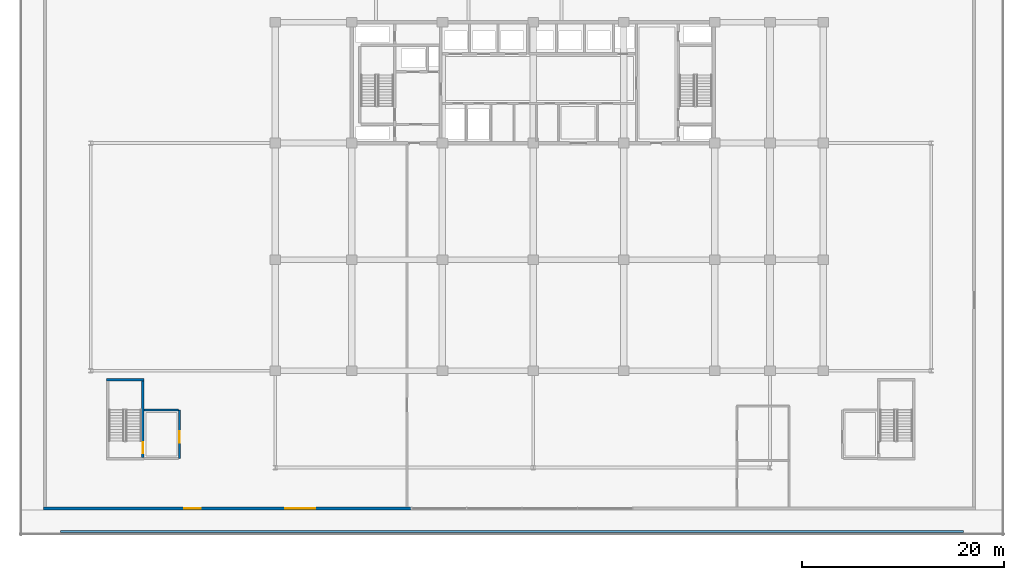
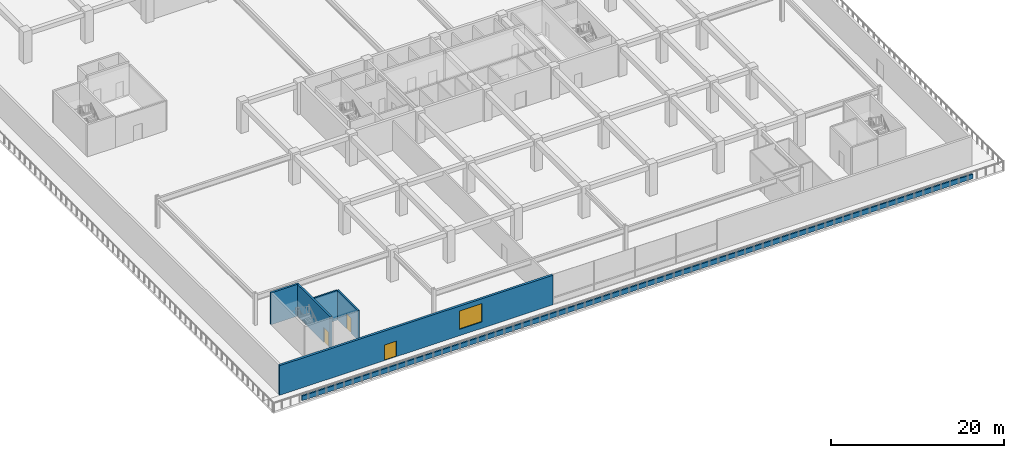
# One storey, part 18 of 40: 6 walls, 3 doors, 1 window, 4 openings.
"""IFC4 building model written with IfcOpenShell, lengths in metres."""

import ifcopenshell
import ifcopenshell.guid

model = None  # the IFC model being written
_history = None  # IfcOwnerHistory: only IFC2X3 demands one
_inside = {}  # id of a spatial element -> (the spatial element, [elements in it])
_under = {}  # id of a project, library or spatial element -> (it, [spatial elements below it])
_declared = {}  # id of a project -> (the project, [libraries it declares])
_typed = {}  # id of a type object -> (the type object, [elements of that type])
_made_of = {}  # id of a material, layer set ... -> (it, [elements and type objects made of it])


def new_model(schema):
    """Start an empty IFC model of exactly this schema.

    Asked for "IFC4X3", IfcOpenShell would pick the latest addendum, in which some entities
    have other attributes; the version numbers below select the first issue.
    IFC2X3 requires an IfcOwnerHistory on every rooted entity: one is made here for all.
    """
    global model, _history
    if schema == "IFC4X3":
        model = ifcopenshell.file(schema_version=(4, 3, 0, 0))
    else:
        model = ifcopenshell.file(schema=schema)
    _inside.clear()
    _under.clear()
    _declared.clear()
    _typed.clear()
    _made_of.clear()
    _history = None
    if model.schema == "IFC2X3":
        org = make("IfcOrganization", Name="unknown")
        user = make(
            "IfcPersonAndOrganization",
            ThePerson=make("IfcPerson", FamilyName="unknown"),
            TheOrganization=org,
        )
        app = make(
            "IfcApplication",
            ApplicationDeveloper=org,
            Version="unknown",
            ApplicationFullName="unknown",
            ApplicationIdentifier="unknown",
        )
        _history = make(
            "IfcOwnerHistory",
            OwningUser=user,
            OwningApplication=app,
            ChangeAction="ADDED",
            CreationDate=0,
        )
    return model


def make(cls, **values):
    """One entity of the class cls with the attributes given. An attribute that is None is left unset."""
    return model.create_entity(
        cls, **{name: value for name, value in values.items() if value is not None}
    )


def rooted(cls, **values):
    """An entity with a GlobalId (a new one), such as an element, a storey or a relation."""
    return make(cls, GlobalId=ifcopenshell.guid.new(), OwnerHistory=_history, **values)


def si_unit(unit_type, name, prefix=None):
    """IfcSIUnit, for example si_unit("LENGTHUNIT", "METRE", prefix="MILLI")."""
    return make("IfcSIUnit", UnitType=unit_type, Prefix=prefix, Name=name)


def assignment(units):
    """IfcUnitAssignment: the units of a project."""
    return None if units is None else make("IfcUnitAssignment", Units=units)


def point(xyz):
    """IfcCartesianPoint."""
    return None if xyz is None else make("IfcCartesianPoint", Coordinates=xyz)


def direction(xyz):
    """IfcDirection."""
    return None if xyz is None else make("IfcDirection", DirectionRatios=xyz)


def frame(location, z_axis=None, x_axis=None):
    """IfcAxis2Placement3D, a coordinate frame: its origin and axes. An axis left out is left unset."""
    return make(
        "IfcAxis2Placement3D",
        Location=point(location),
        Axis=direction(z_axis),
        RefDirection=direction(x_axis),
    )


def frame_2d(location, x_axis=None):
    """IfcAxis2Placement2D, a coordinate frame in the plane: its origin and x axis."""
    return make(
        "IfcAxis2Placement2D", Location=point(location), RefDirection=direction(x_axis)
    )


def origin():
    """The frame at (0, 0, 0) with its axes left unset."""
    return frame((0.0, 0.0, 0.0))


def place(relative_to, where):
    """IfcLocalPlacement: puts the frame where relative to a parent placement (None: the world)."""
    return make(
        "IfcLocalPlacement", PlacementRelTo=relative_to, RelativePlacement=where
    )


def context(
    kind, dimensions, precision=None, world=None, true_north=None, identifier=None
):
    """IfcGeometricRepresentationContext, for example the 3D "Model" context."""
    return make(
        "IfcGeometricRepresentationContext",
        ContextIdentifier=identifier,
        ContextType=kind,
        CoordinateSpaceDimension=dimensions,
        Precision=precision,
        WorldCoordinateSystem=world,
        TrueNorth=true_north,
    )


def subcontext(parent, identifier, kind, view, scale=None):
    """IfcGeometricRepresentationSubContext, for example "Body" below "Model"."""
    return make(
        "IfcGeometricRepresentationSubContext",
        ContextIdentifier=identifier,
        ContextType=kind,
        ParentContext=parent,
        TargetScale=scale,
        TargetView=view,
    )


def project(units=None, contexts=None):
    """IfcProject with its units and contexts."""
    return rooted(
        "IfcProject",
        Name="project",
        RepresentationContexts=contexts,
        UnitsInContext=assignment(units),
    )


def spatial(cls, under=None, at=None, **own):
    """A site, building, storey or space (cls), placed at a placement, below another one or the project."""
    s = rooted(cls, ObjectPlacement=at, **own)
    if under is not None:
        _under.setdefault(under.id(), (under, []))[1].append(s)
    return s


def profile(cls, at=None, kind="AREA", **sizes):
    """A parametric profile (cls). Its sizes go by their IFC names, for example OverallWidth=200.0."""
    return make(cls, ProfileType=kind, Position=at, **sizes)


def rectangle(**sizes):
    """IfcRectangleProfileDef."""
    return profile("IfcRectangleProfileDef", **sizes)


def extrude(swept, where, along, depth):
    """IfcExtrudedAreaSolid: the profile swept, set in the frame where, extruded along a direction by depth."""
    return make(
        "IfcExtrudedAreaSolid",
        SweptArea=swept,
        Position=where,
        ExtrudedDirection=direction(along),
        Depth=depth,
    )


def shape(context_of_items, identifier, shape_type, items):
    """IfcShapeRepresentation: the items that make up one representation, for example the "Body"."""
    return make(
        "IfcShapeRepresentation",
        ContextOfItems=context_of_items,
        RepresentationIdentifier=identifier,
        RepresentationType=shape_type,
        Items=items,
    )


def material(Name=None, Category=None):
    """IfcMaterial."""
    return make("IfcMaterial", Name=Name, Category=Category)


def layer(
    of_material, thickness, ventilated=None, Name=None, Category=None, Priority=None
):
    """IfcMaterialLayer: one layer of a wall or slab, of a material (None: an air gap)."""
    return make(
        "IfcMaterialLayer",
        Material=of_material,
        LayerThickness=thickness,
        IsVentilated=ventilated,
        Name=Name,
        Category=Category,
        Priority=Priority,
    )


def layer_set(layers, Name=None):
    """IfcMaterialLayerSet."""
    return make("IfcMaterialLayerSet", MaterialLayers=layers, LayerSetName=Name)


def made_of(thing, what):
    """Note that an element or type object is made of a material, layer set ...; save() writes the relation."""
    if what is not None:
        _made_of.setdefault(what.id(), (what, []))[1].append(thing)
    return thing


def type_object(cls, material=None, **own):
    """A type object (cls), such as IfcWallType, which elements share."""
    return made_of(rooted(cls, **own), material)


def element(
    cls,
    number,
    at=None,
    inside=None,
    cuts=None,
    type_object=None,
    material=None,
    context=None,
    identifier="Body",
    shape_type=None,
    held_by="IfcProductDefinitionShape",
    body=None,
    shapes=None,
    **own,
):
    """One element of the class cls, such as IfcWall. Its Tag is "e" and its number.

    at: its placement. inside: the storey or other place that contains it. cuts: it is an
    opening in that element (IfcRelVoidsElement). A single representation is given by context,
    identifier, shape_type and body (its items); several are given by shapes. held_by: the class
    of the entity that holds the representations. save() writes the other relations.
    """
    e = rooted(cls, Tag="e%d" % number, ObjectPlacement=at, **own)
    if body is not None:
        shapes = [shape(context, identifier, shape_type, body)]
    if shapes is not None:
        e.Representation = make(held_by, Representations=shapes)
    if inside is not None:
        _inside.setdefault(inside.id(), (inside, []))[1].append(e)
    if cuts is not None:
        rooted(
            "IfcRelVoidsElement", RelatingBuildingElement=cuts, RelatedOpeningElement=e
        )
    if type_object is not None:
        _typed.setdefault(type_object.id(), (type_object, []))[1].append(e)
    return made_of(e, material)


def fill(opening, filler):
    """IfcRelFillsElement: the door or window that sits in an opening."""
    return rooted(
        "IfcRelFillsElement",
        RelatingOpeningElement=opening,
        RelatedBuildingElement=filler,
    )


def aggregate(whole, parts):
    """IfcRelAggregates: a whole, such as a stair, and the parts it consists of."""
    return rooted("IfcRelAggregates", RelatingObject=whole, RelatedObjects=parts)


def save(model, path):
    """Write the relations noted so far, then the file.

    IfcRelAggregates (storeys below a building ...), IfcRelContainedInSpatialStructure (elements
    in a storey), IfcRelDefinesByType, IfcRelAssociatesMaterial and IfcRelDeclares: one each for
    every whole, place, type object, material and project.
    """
    for whole, parts in _under.values():
        aggregate(whole, parts)
    for where, things in _inside.values():
        rooted(
            "IfcRelContainedInSpatialStructure",
            RelatedElements=things,
            RelatingStructure=where,
        )
    for kind, things in _typed.values():
        rooted("IfcRelDefinesByType", RelatedObjects=things, RelatingType=kind)
    for what, things in _made_of.values():
        rooted("IfcRelAssociatesMaterial", RelatedObjects=things, RelatingMaterial=what)
    for by, libraries in _declared.values():
        rooted("IfcRelDeclares", RelatingContext=by, RelatedDefinitions=libraries)
    model.write(path)


model = new_model("IFC4")

# Units and contexts
model_context = context("Model", 3, precision=1e-05, world=origin(), true_north=direction((0.0, 1.0)))
body_context = subcontext(model_context, "Body", "Model", "MODEL_VIEW")
ifc_project = project(units=[si_unit("LENGTHUNIT", "METRE"), si_unit("AREAUNIT", "SQUARE_METRE"), si_unit("VOLUMEUNIT", "CUBIC_METRE"), si_unit("PLANEANGLEUNIT", "RADIAN"), si_unit("MASSUNIT", "GRAM", prefix="KILO")], contexts=[model_context])

# Site, building, storey
site_placement = place(None, origin())
site = spatial("IfcSite", under=ifc_project, at=site_placement, CompositionType="ELEMENT")
building_placement = place(site_placement, origin())
building = spatial("IfcBuilding", under=site, at=building_placement, Name="Korimba Cascade Residences", CompositionType="ELEMENT")
storey_placement = place(building_placement, frame((0.0, 0.0, 14.5)))
storey = spatial("IfcBuildingStorey", under=building, at=storey_placement, Name="L03", CompositionType="ELEMENT", Elevation=14.5)

# Wall
ifc_material_1 = material(Name="Precast concrete C40/50", Category="concrete")
ifc_layer_1 = layer(ifc_material_1, 0.199951171875)
ifc_layer_set_1 = layer_set([ifc_layer_1], Name="Precast concrete C40/50")
wall_type_1 = type_object("IfcWallType", Name="EW-PLANTER-200", PredefinedType="PARAPET", material=ifc_layer_set_1)
wall_1_placement = place(storey_placement, frame((53.199951171875, -20.14990234375, 0.0), z_axis=(0.0, 0.0, 1.0), x_axis=(1.0, 0.0, 0.0)))
element("IfcWall", 1, at=wall_1_placement, inside=storey, type_object=wall_type_1, Name="L03 Cascading Terrace Stone PLANTER Box S", PredefinedType="PARAPET", context=body_context, shape_type="SweptSolid", body=[
    extrude(rectangle(XDim=89.60009765625, YDim=0.199951171875, at=frame_2d((44.800048828125, 0.0))), origin(), (0.0, 0.0, 1.0), 0.64990234375),
])

# Wall, openings, door, window
ifc_layer_2 = layer(ifc_material_1, 0.300048828125)
ifc_layer_set_2 = layer_set([ifc_layer_2], Name="Precast concrete C40/50")
wall_type_2 = type_object("IfcWallType", Name="EW-STONE-300", PredefinedType="STANDARD", material=ifc_layer_set_2)
wall_2_placement = place(storey_placement, frame((51.5, -17.85009765625, 0.0), z_axis=(0.0, 0.0, 1.0), x_axis=(1.0, 0.0, 0.0)))
wall_2 = element("IfcWall", 2, at=wall_2_placement, inside=storey, type_object=wall_type_2, Name="L03 South-West Podium Wall", PredefinedType="STANDARD", context=body_context, shape_type="SweptSolid", body=[
    extrude(rectangle(XDim=36.5, YDim=0.300048828125, at=frame_2d((18.25, 0.0))), origin(), (0.0, 0.0, 1.0), 4.179931640625),
])
opening_1_placement = place(wall_2_placement, frame((14.0, 0.0, 0.0)))
opening_1 = element("IfcOpeningElement", 3, at=opening_1_placement, cuts=wall_2, Name="Opening D-TR1", PredefinedType="OPENING", context=body_context, shape_type="SweptSolid", body=[
    extrude(rectangle(XDim=1.60009765625, YDim=2.199951171875, at=frame_2d((0.800048828125, 1.10009765625))), frame((0.0, 0.16015625, 0.0), z_axis=(0.0, -1.0, 0.0), x_axis=(1.0, 0.0, 0.0)), (0.0, 0.0, 1.0), 0.320068359375),
])
opening_2_placement = place(wall_2_placement, frame((24.0, 0.0, 0.89990234375)))
opening_2 = element("IfcOpeningElement", 4, at=opening_2_placement, cuts=wall_2, Name="Opening W-04", PredefinedType="OPENING", context=body_context, shape_type="SweptSolid", body=[
    extrude(rectangle(XDim=3.0, YDim=2.60009765625, at=frame_2d((1.5, 1.300048828125))), frame((0.0, 0.16015625, 0.0), z_axis=(0.0, -1.0, 0.0), x_axis=(1.0, 0.0, 0.0)), (0.0, 0.0, 1.0), 0.320068359375),
])
ifc_material_2 = material(Name="Glazed Aluminium Terrace Door", Category="aluminium")
door_type_1 = type_object("IfcDoorType", Name="DR-EXT-TER", OperationType="NOTDEFINED", PredefinedType="DOOR", material=ifc_material_2)
door_1_placement = place(opening_1_placement, frame((1.60009765625, 0.0, 0.0), z_axis=(0.0, 0.0, 1.0), x_axis=(-1.0, 0.0, 0.0)))
door_1 = element("IfcDoor", 5, at=door_1_placement, inside=storey, type_object=door_type_1, Name="L03 South Terrace Access Door", OperationType="DOUBLE_DOOR_SINGLE_SWING", OverallHeight=2.199951171875, OverallWidth=1.60009765625, PredefinedType="DOOR", context=body_context, shape_type="SweptSolid", body=[
    extrude(rectangle(XDim=1.60009765625, YDim=2.199951171875, at=frame_2d((0.800048828125, 1.10009765625))), frame((0.0, 0.02490234375, 0.0), z_axis=(0.0, -1.0, 0.0), x_axis=(1.0, 0.0, 0.0)), (0.0, 0.0, 1.0), 0.050048828125),
])
fill(opening_1, door_1)
ifc_material_3 = material(Name="Double-Glazed Aluminium Window", Category="aluminium")
window_type = type_object("IfcWindowType", Name="WIN-POD-3000", PartitioningType="TRIPLE_PANEL_VERTICAL", PredefinedType="WINDOW", material=ifc_material_3)
window_placement = place(opening_2_placement, origin())
window = element("IfcWindow", 6, at=window_placement, inside=storey, type_object=window_type, Name="L03 South Podium Window", OverallHeight=2.60009765625, OverallWidth=3.0, PartitioningType="TRIPLE_PANEL_VERTICAL", PredefinedType="WINDOW", context=body_context, shape_type="SweptSolid", body=[
    extrude(rectangle(XDim=3.0, YDim=2.60009765625, at=frame_2d((1.5, 1.300048828125))), frame((0.0, 0.030029296875, 0.0), z_axis=(0.0, -1.0, 0.0), x_axis=(1.0, 0.0, 0.0)), (0.0, 0.0, 1.0), 0.06005859375),
])
fill(opening_2, window)

# Wall, opening, door
ifc_material_4 = material(Name="Concrete C40/50", Category="concrete")
ifc_layer_3 = layer(ifc_material_4, 0.199951171875)
ifc_layer_set_3 = layer_set([ifc_layer_3], Name="Concrete C40/50")
wall_type_3 = type_object("IfcWallType", Name="WAL-PART-200", PredefinedType="PARTITIONING", material=ifc_layer_set_3)
wall_3_placement = place(storey_placement, frame((65.0, -12.925048828125, 0.0), z_axis=(0.0, 0.0, 1.0), x_axis=(0.0, 1.0, 0.0)))
wall_3 = element("IfcWall", 7, at=wall_3_placement, inside=storey, type_object=wall_type_3, Name="L03 Partition Wall CW-L03-PL3E", PredefinedType="PARTITIONING", context=body_context, shape_type="SweptSolid", body=[
    extrude(rectangle(XDim=4.824951171875, YDim=0.199951171875, at=frame_2d((2.41259765625, 0.0))), origin(), (0.0, 0.0, 1.0), 4.179931640625),
])
opening_3_placement = place(wall_3_placement, frame((1.60009765625, 0.0, 0.0)))
opening_3 = element("IfcOpeningElement", 8, at=opening_3_placement, cuts=wall_3, Name="Opening D-FD6", PredefinedType="OPENING", context=body_context, shape_type="SweptSolid", body=[
    extrude(rectangle(XDim=1.10009765625, YDim=2.14990234375, at=frame_2d((0.550048828125, 1.074951171875))), frame((0.0, 0.10986328125, 0.0), z_axis=(0.0, -1.0, 0.0), x_axis=(1.0, 0.0, 0.0)), (0.0, 0.0, 1.0), 0.219970703125),
])
ifc_material_5 = material(Name="Fire-Rated Timber Stair Lobby Door", Category="wood")
door_type_2 = type_object("IfcDoorType", Name="DR-FD90-1100", OperationType="NOTDEFINED", PredefinedType="DOOR", material=ifc_material_5)
door_2_placement = place(opening_3_placement, origin())
door_2 = element("IfcDoor", 9, at=door_2_placement, inside=storey, type_object=door_type_2, Name="L03 South-West Stair Vestibule Door", OperationType="SINGLE_SWING_RIGHT", OverallHeight=2.14990234375, OverallWidth=1.10009765625, PredefinedType="DOOR", context=body_context, shape_type="SweptSolid", body=[
    extrude(rectangle(XDim=1.10009765625, YDim=2.14990234375, at=frame_2d((0.550048828125, 1.074951171875))), frame((0.0, 0.02490234375, 0.0), z_axis=(0.0, -1.0, 0.0), x_axis=(1.0, 0.0, 0.0)), (0.0, 0.0, 1.0), 0.050048828125),
])
fill(opening_3, door_2)

# Walls
wall_4_placement = place(storey_placement, frame((61.5, -8.10009765625, 0.0), z_axis=(0.0, 0.0, 1.0), x_axis=(1.0, 0.0, 0.0)))
element("IfcWall", 10, at=wall_4_placement, inside=storey, type_object=wall_type_3, Name="L03 Partition Wall CW-L03-PL3N", PredefinedType="PARTITIONING", context=body_context, shape_type="SweptSolid", body=[
    extrude(rectangle(XDim=3.39990234375, YDim=0.199951171875, at=frame_2d((1.699951171875, 0.0))), origin(), (0.0, 0.0, 1.0), 4.179931640625),
])
ifc_material_6 = material(Name="Concrete C50/60", Category="concrete")
ifc_layer_4 = layer(ifc_material_6, 0.25)
ifc_layer_set_4 = layer_set([ifc_layer_4], Name="Concrete C50/60")
wall_type_4 = type_object("IfcWallType", Name="WAL-SHAFT-250", PredefinedType="SHEAR", material=ifc_layer_set_4)
wall_5_placement = place(storey_placement, frame((57.75, -5.074951171875, 0.0), z_axis=(0.0, 0.0, 1.0), x_axis=(1.0, 0.0, 0.0)))
element("IfcWall", 11, at=wall_5_placement, inside=storey, type_object=wall_type_4, Name="L03 Core Shear Wall CW-L03-STP3N", PredefinedType="SHEAR", context=body_context, shape_type="SweptSolid", body=[
    extrude(rectangle(XDim=3.739990234375, YDim=0.25, at=frame_2d((1.8701171875, 0.0))), origin(), (0.0, 0.0, 1.0), 4.5),
])

# Wall, opening, door
wall_6_placement = place(storey_placement, frame((61.364990234375, -12.800048828125, 0.0), z_axis=(0.0, 0.0, 1.0), x_axis=(0.0, 1.0, 0.0)))
wall_6 = element("IfcWall", 12, at=wall_6_placement, inside=storey, type_object=wall_type_4, Name="L03 Core Shear Wall CW-L03-STP3E", PredefinedType="SHEAR", context=body_context, shape_type="SweptSolid", body=[
    extrude(rectangle(XDim=7.60009765625, YDim=0.25, at=frame_2d((3.800048828125, 0.0))), origin(), (0.0, 0.0, 1.0), 4.5),
])
opening_4_placement = place(wall_6_placement, frame((0.39990234375, 0.0, 0.0)))
opening_4 = element("IfcOpeningElement", 13, at=opening_4_placement, cuts=wall_6, Name="Opening D-FD1", PredefinedType="OPENING", context=body_context, shape_type="SweptSolid", body=[
    extrude(rectangle(XDim=1.10009765625, YDim=2.10009765625, at=frame_2d((0.550048828125, 1.050048828125))), frame((0.0, 0.135009765625, 0.0), z_axis=(0.0, -1.0, 0.0), x_axis=(1.0, 0.0, 0.0)), (0.0, 0.0, 1.0), 0.27001953125),
])
ifc_material_7 = material(Name="Fire-Rated Steel Core Door", Category="steel")
door_type_3 = type_object("IfcDoorType", Name="DR-FD120-1100", OperationType="NOTDEFINED", PredefinedType="DOOR", material=ifc_material_7)
door_3_placement = place(opening_4_placement, origin())
door_3 = element("IfcDoor", 14, at=door_3_placement, inside=storey, type_object=door_type_3, Name="L03 Podium Stair ST-P3 Door", OperationType="SINGLE_SWING_LEFT", OverallHeight=2.10009765625, OverallWidth=1.10009765625, PredefinedType="DOOR", context=body_context, shape_type="SweptSolid", body=[
    extrude(rectangle(XDim=1.10009765625, YDim=2.10009765625, at=frame_2d((0.550048828125, 1.050048828125))), frame((0.0, 0.02490234375, 0.0), z_axis=(0.0, -1.0, 0.0), x_axis=(1.0, 0.0, 0.0)), (0.0, 0.0, 1.0), 0.050048828125),
])
fill(opening_4, door_3)

save(model, "model.ifc")
